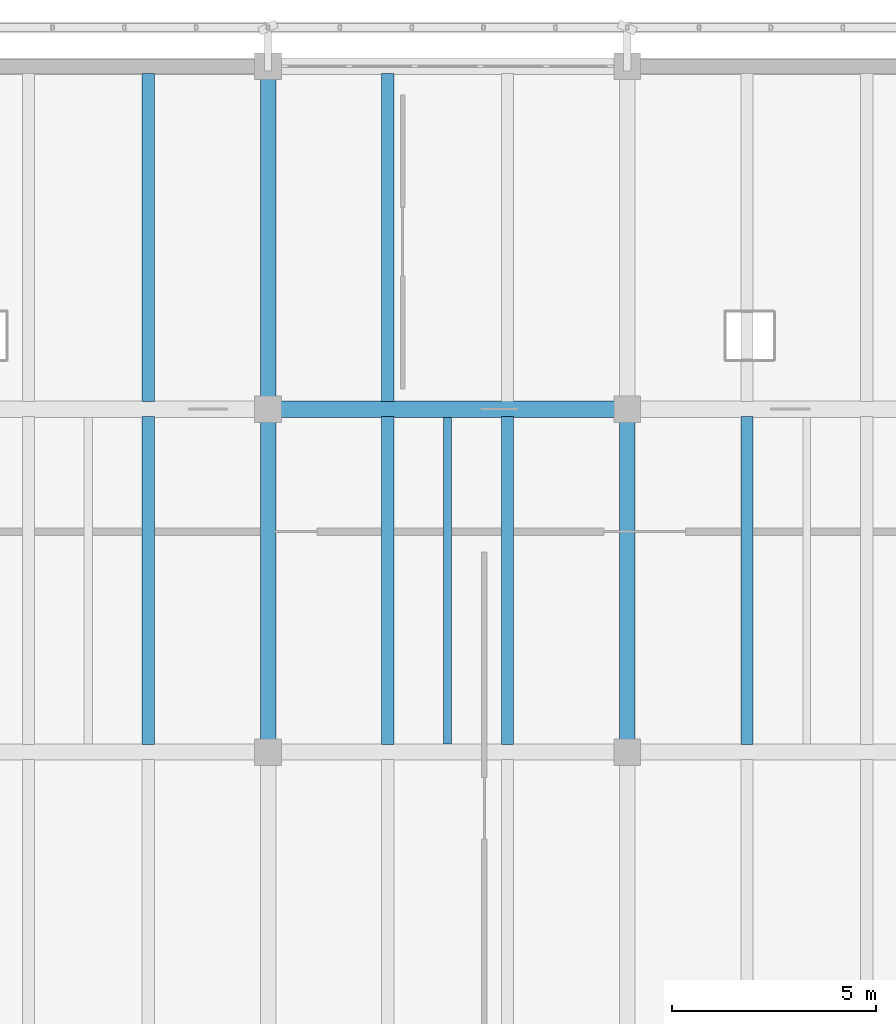
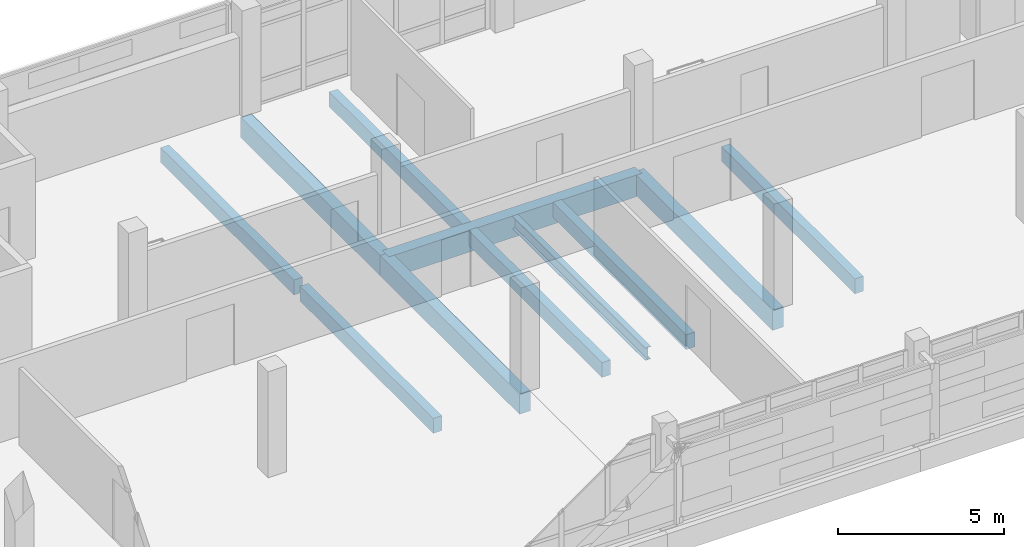
# One storey, part 65 of 117: 11 beams.
"""IFC4 building model written with IfcOpenShell, lengths in metres."""

from ifc_helpers import new_model, si_unit, direction, frame, origin, origin_2d, place, context, subcontext, project, spatial, rectangle, i_section, extrude, material, material_profile, profile_set, type_object, element, save


model = new_model("IFC4")

# Units and contexts
model_context = context("Model", 3, precision=1e-05, world=origin(), true_north=direction((0.0, 1.0)))
body_context = subcontext(model_context, "Body", "Model", "MODEL_VIEW")
ifc_project = project(units=[si_unit("LENGTHUNIT", "METRE"), si_unit("AREAUNIT", "SQUARE_METRE"), si_unit("VOLUMEUNIT", "CUBIC_METRE"), si_unit("PLANEANGLEUNIT", "RADIAN"), si_unit("MASSUNIT", "GRAM", prefix="KILO")], contexts=[model_context])

# Site, building, storey
site_placement = place(None, origin())
site = spatial("IfcSite", under=ifc_project, at=site_placement, CompositionType="ELEMENT")
building_placement = place(site_placement, origin())
building = spatial("IfcBuilding", under=site, at=building_placement, Name="Cinderway Yard Community Centre", CompositionType="ELEMENT")
storey_placement = place(building_placement, frame((0.0, 0.0, 9.0)))
storey = spatial("IfcBuildingStorey", under=building, at=storey_placement, Name="L02", CompositionType="ELEMENT", Elevation=9.0)

# Beams
ifc_material_1 = material(Name="Concrete C35/45", Category="concrete")
ifc_material_profile_1 = material_profile(ifc_material_1, rectangle(XDim=0.300048828125, YDim=0.550048828125, at=origin_2d()), Name="Concrete C35/45")
ifc_profile_set_1 = profile_set([ifc_material_profile_1], Name="Concrete C35/45")
beam_type_1 = type_object("IfcBeamType", Name="STR-BM-RC300X550", PredefinedType="JOIST", material=ifc_profile_set_1)
beam_1_placement = place(storey_placement, frame((89.866943359375, 98.58203125, -0.514892578125), z_axis=(0.0, 1.0, 0.0), x_axis=(-1.0, 0.0, 0.0)))
element("IfcBeam", 1, at=beam_1_placement, inside=storey, type_object=beam_type_1, Name="Secondary joist STR-BM-L02-BJ03-0612", PredefinedType="JOIST", context=body_context, shape_type="SweptSolid", body=[
    extrude(rectangle(XDim=0.300048828125, YDim=0.550048828125, at=origin_2d()), origin(), (0.0, 0.0, 1.0), 8.035888671875),
])
beam_2_placement = place(storey_placement, frame((89.866943359375, 106.98193359375, -0.514892578125), z_axis=(0.0, 1.0, 0.0), x_axis=(-1.0, 0.0, 0.0)))
element("IfcBeam", 2, at=beam_2_placement, inside=storey, type_object=beam_type_1, Name="Secondary joist STR-BM-L02-BJ03-0614", PredefinedType="JOIST", context=body_context, shape_type="SweptSolid", body=[
    extrude(rectangle(XDim=0.300048828125, YDim=0.550048828125, at=origin_2d()), origin(), (0.0, 0.0, 1.0), 8.0361328125),
])
for number, where, z_axis, x_axis, name in (
    (3, (95.73291015625, 98.58203125, -0.514892578125), (0.0, 1.0, 0.0), (-1.0, 0.0, 0.0), "Secondary joist STR-BM-L02-BJ03-0617"),
    (4, (98.6669921875, 98.58203125, -0.514892578125), (0.0, 1.0, 0.0), (-1.0, 0.0, 0.0), "Secondary joist STR-BM-L02-BJ03-0618"),
):
    element("IfcBeam", number, at=place(storey_placement, frame(where, z_axis=z_axis, x_axis=x_axis)), inside=storey, type_object=beam_type_1, Name=name, PredefinedType="JOIST", context=body_context, shape_type="SweptSolid", body=[
        extrude(rectangle(XDim=0.300048828125, YDim=0.550048828125, at=origin_2d()), origin(), (0.0, 0.0, 1.0), 8.035888671875),
    ])
beam_3_placement = place(storey_placement, frame((95.73291015625, 106.98193359375, -0.514892578125), z_axis=(0.0, 1.0, 0.0), x_axis=(-1.0, 0.0, 0.0)))
element("IfcBeam", 5, at=beam_3_placement, inside=storey, type_object=beam_type_1, Name="Secondary joist STR-BM-L02-BJ03-0619", PredefinedType="JOIST", context=body_context, shape_type="SweptSolid", body=[
    extrude(rectangle(XDim=0.300048828125, YDim=0.550048828125, at=origin_2d()), origin(), (0.0, 0.0, 1.0), 8.0361328125),
])
beam_4_placement = place(storey_placement, frame((104.532958984375, 98.58203125, -0.514892578125), z_axis=(0.0, 1.0, 0.0), x_axis=(-1.0, 0.0, 0.0)))
element("IfcBeam", 6, at=beam_4_placement, inside=storey, type_object=beam_type_1, Name="Secondary joist STR-BM-L02-BJ03-0623", PredefinedType="JOIST", context=body_context, shape_type="SweptSolid", body=[
    extrude(rectangle(XDim=0.300048828125, YDim=0.550048828125, at=origin_2d()), origin(), (0.0, 0.0, 1.0), 8.035888671875),
])
ifc_material_profile_2 = material_profile(ifc_material_1, rectangle(XDim=0.3798828125, YDim=0.75, at=origin_2d()), Name="Concrete C35/45")
ifc_profile_set_2 = profile_set([ifc_material_profile_2], Name="Concrete C35/45")
beam_type_2 = type_object("IfcBeamType", Name="STR-BM-RC380X750", PredefinedType="BEAM", material=ifc_profile_set_2)
beam_5_placement = place(storey_placement, frame((92.800048828125, 98.39990234375, -0.614990234375), z_axis=(0.0, 1.0, 0.0), x_axis=(-1.0, 0.0, 0.0)))
element("IfcBeam", 7, at=beam_5_placement, inside=storey, type_object=beam_type_2, Name="Transverse girder STR-BM-L02-BG06-0563", PredefinedType="BEAM", context=body_context, shape_type="SweptSolid", body=[
    extrude(rectangle(XDim=0.3798828125, YDim=0.75, at=origin_2d()), origin(), (0.0, 0.0, 1.0), 8.400146484375),
])
beam_6_placement = place(storey_placement, frame((92.800048828125, 106.800048828125, -0.614990234375), z_axis=(0.0, 1.0, 0.0), x_axis=(-1.0, 0.0, 0.0)))
element("IfcBeam", 8, at=beam_6_placement, inside=storey, type_object=beam_type_2, Name="Transverse girder STR-BM-L02-BG06-0564", PredefinedType="BEAM", context=body_context, shape_type="SweptSolid", body=[
    extrude(rectangle(XDim=0.3798828125, YDim=0.75, at=origin_2d()), origin(), (0.0, 0.0, 1.0), 8.39990234375),
])
beam_7_placement = place(storey_placement, frame((101.60009765625, 98.39990234375, -0.614990234375), z_axis=(0.0, 1.0, 0.0), x_axis=(-1.0, 0.0, 0.0)))
element("IfcBeam", 9, at=beam_7_placement, inside=storey, type_object=beam_type_2, Name="Transverse girder STR-BM-L02-BG06-0566", PredefinedType="BEAM", context=body_context, shape_type="SweptSolid", body=[
    extrude(rectangle(XDim=0.3798828125, YDim=0.75, at=origin_2d()), origin(), (0.0, 0.0, 1.0), 8.400146484375),
])
ifc_material_2 = material(Name="Concrete C40/50", Category="concrete")
ifc_material_profile_3 = material_profile(ifc_material_2, rectangle(XDim=0.39990234375, YDim=0.800048828125, at=origin_2d()), Name="Concrete C40/50")
ifc_profile_set_3 = profile_set([ifc_material_profile_3], Name="Concrete C40/50")
beam_type_3 = type_object("IfcBeamType", Name="STR-BM-RC400X800", PredefinedType="BEAM", material=ifc_profile_set_3)
beam_8_placement = place(storey_placement, frame((92.800048828125, 106.800048828125, -0.639892578125), z_axis=(1.0, 0.0, 0.0), x_axis=(0.0, 1.0, 0.0)))
element("IfcBeam", 10, at=beam_8_placement, inside=storey, type_object=beam_type_3, Name="Primary girder STR-BM-L02-BG05-0526", PredefinedType="BEAM", context=body_context, shape_type="SweptSolid", body=[
    extrude(rectangle(XDim=0.39990234375, YDim=0.800048828125, at=origin_2d()), origin(), (0.0, 0.0, 1.0), 8.800048828125),
])
ifc_material_3 = material(Name="Steel S355", Category="steel")
ifc_material_profile_4 = material_profile(ifc_material_3, i_section(OverallWidth=0.194091796875, OverallDepth=0.468994140625, WebThickness=0.011474609375, FlangeThickness=0.018798828125, FilletRadius=0.012939453125, at=origin_2d()), Name="Steel S355")
ifc_profile_set_4 = profile_set([ifc_material_profile_4], Name="Steel S355")
beam_type_4 = type_object("IfcBeamType", Name="STR-BM-W460X106", PredefinedType="JOIST", material=ifc_profile_set_4)
beam_9_placement = place(storey_placement, frame((97.199951171875, 98.60009765625, -0.47509765625), z_axis=(0.0, 1.0, 0.0), x_axis=(-1.0, 0.0, 0.0)))
element("IfcBeam", 11, at=beam_9_placement, inside=storey, type_object=beam_type_4, Name="Mid-bay secondary beam STR-BM-L02-SJ04-1180", PredefinedType="JOIST", context=body_context, shape_type="SweptSolid", body=[
    extrude(i_section(OverallWidth=0.194091796875, OverallDepth=0.468994140625, WebThickness=0.011474609375, FlangeThickness=0.018798828125, FilletRadius=0.012939453125, at=origin_2d()), origin(), (0.0, 0.0, 1.0), 8.0),
])

save(model, "model.ifc")
